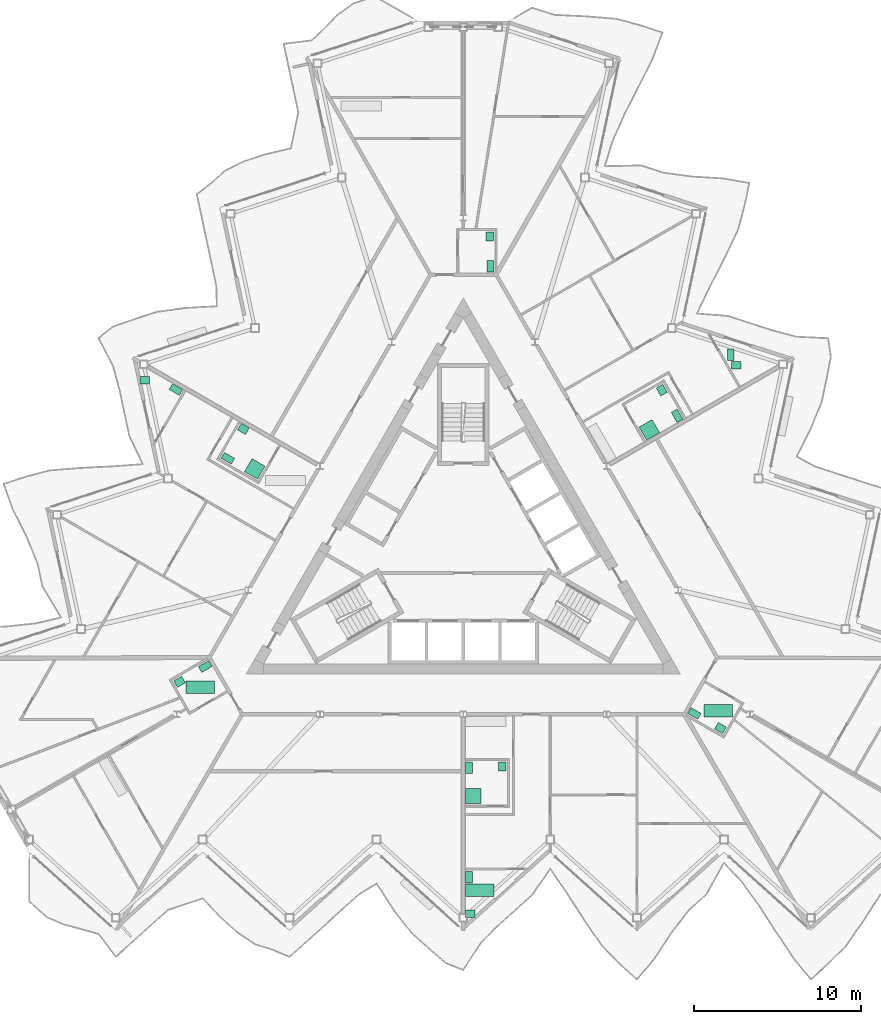
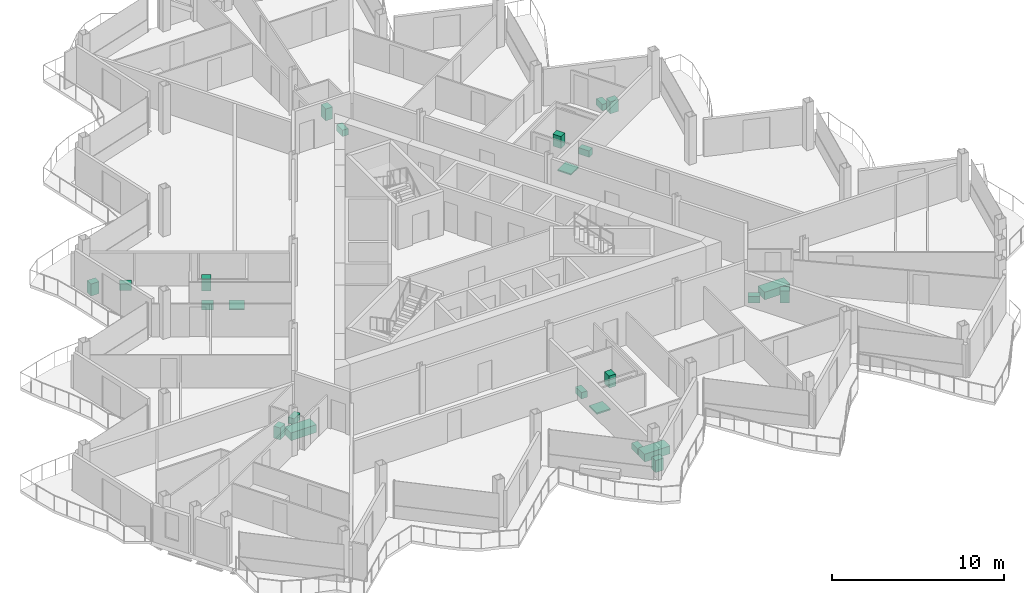
# One storey, part 25 of 26: 24 sanitary terminals.
"""IFC4 building model written with IfcOpenShell, lengths in metres."""

from ifc_helpers import new_model, si_unit, direction, frame, origin, origin_2d, place, context, subcontext, project, spatial, rectangle, extrude, material, type_object, element, save


model = new_model("IFC4")

# Units and contexts
model_context = context("Model", 3, precision=1e-05, world=origin(), true_north=direction((0.0, 1.0)))
body_context = subcontext(model_context, "Body", "Model", "MODEL_VIEW")
ifc_project = project(units=[si_unit("LENGTHUNIT", "METRE"), si_unit("AREAUNIT", "SQUARE_METRE"), si_unit("VOLUMEUNIT", "CUBIC_METRE"), si_unit("PLANEANGLEUNIT", "RADIAN"), si_unit("MASSUNIT", "GRAM", prefix="KILO")], contexts=[model_context])

# Site, building, storey
site_placement = place(None, origin())
site = spatial("IfcSite", under=ifc_project, at=site_placement, CompositionType="ELEMENT")
building_placement = place(site_placement, origin())
building = spatial("IfcBuilding", under=site, at=building_placement, Name="Cormorant Prow Tower", CompositionType="ELEMENT")
storey_placement = place(building_placement, frame((0.0, 0.0, 367.800048828125)))
storey = spatial("IfcBuildingStorey", under=building, at=storey_placement, Name="L82", CompositionType="ELEMENT", Elevation=367.800048828125)

# Sanitary terminals
ifc_material_1 = material(Name="Vitreous china")
sanitary_terminal_type_1 = type_object("IfcSanitaryTerminalType", Name="Bath 1700x750", PredefinedType="BATH", material=ifc_material_1)
for number, where, z_axis, x_axis, name in (
    (1, (0.9951171875, -20.451171875, 0.0), (0.0, 0.0, 1.0), (1.0, 0.0, 0.0), "Bath"),
    (2, (15.260498046875, -9.70068359375, 0.0), (0.0, 0.0, 1.0), (1.0, 0.0, 0.0), "Bath"),
    (3, (-15.75244140625, -8.29248046875, 0.0), (0.0, 0.0, 1.0), (1.0, 0.0, 0.0), "Bath"),
):
    element("IfcSanitaryTerminal", number, at=place(storey_placement, frame(where, z_axis=z_axis, x_axis=x_axis)), inside=storey, type_object=sanitary_terminal_type_1, Name=name, PredefinedType="BATH", context=body_context, shape_type="SweptSolid", body=[
        extrude(rectangle(XDim=1.699951171875, YDim=0.75, at=origin_2d()), origin(), (0.0, 0.0, 1.0), 0.550048828125),
    ])
ifc_material_2 = material(Name="Vitreous china")
sanitary_terminal_type_2 = type_object("IfcSanitaryTerminalType", Name="Shower tray 900x900", PredefinedType="SHOWER", material=ifc_material_2)
for number, where, z_axis, x_axis, name in (
    (4, (0.594970703125, -14.810546875, 0.0), (0.0, 0.0, 1.0), (0.0, 1.0, 0.0), "Shower tray"),
    (5, (11.134521484375, 7.115478515625, 0.0), (0.0, 0.0, 1.0), (-0.5, 0.866025403784, 0.0), "Shower tray"),
    (6, (-12.484619140625, 4.77734375, 0.0), (0.0, 0.0, 1.0), (-0.866025403784, 0.5, 0.0), "Shower tray"),
):
    element("IfcSanitaryTerminal", number, at=place(storey_placement, frame(where, z_axis=z_axis, x_axis=x_axis)), inside=storey, type_object=sanitary_terminal_type_2, Name=name, PredefinedType="SHOWER", context=body_context, shape_type="SweptSolid", body=[
        extrude(rectangle(XDim=0.89990234375, YDim=0.89990234375, at=origin_2d()), origin(), (0.0, 0.0, 1.0), 0.10009765625),
    ])
ifc_material_3 = material(Name="Vitreous china")
sanitary_terminal_type_3 = type_object("IfcSanitaryTerminalType", Name="Wash basin 550x450", PredefinedType="WASHHANDBASIN", material=ifc_material_3)
for number, where, z_axis, x_axis, name in (
    (7, (0.419921875, -21.85107421875, 0.0), (0.0, 0.0, 1.0), (1.0, 0.0, 0.0), "Wash basin"),
    (8, (2.330078125, -13.025634765625, 0.0), (0.0, 0.0, 1.0), (0.0, -1.0, 0.0), "Wash basin"),
    (9, (15.390380859375, -10.72509765625, 0.0), (0.0, 0.0, 1.0), (-0.866025403784, 0.5, 0.0), "Wash basin"),
    (10, (16.337158203125, 10.987060546875, 0.0), (0.0, 0.0, 1.0), (1.0, 0.0, 0.0), "Wash basin"),
    (11, (11.881103515625, 9.4921875, 0.0), (0.0, 0.0, 1.0), (0.5, -0.866025403784, 0.0), "Wash basin"),
    (12, (1.593017578125, 18.691162109375, 0.0), (0.0, 0.0, 1.0), (0.0, -1.0, 0.0), "Wash basin"),
    (13, (-19.0673828125, 10.084228515625, 0.0), (0.0, 0.0, 1.0), (1.0, 0.0, 0.0), "Wash basin"),
    (14, (-13.162841796875, 7.17236328125, 0.0), (0.0, 0.0, 1.0), (0.866025403784, -0.5, 0.0), "Wash basin"),
    (15, (-16.9833984375, -7.966064453125, 0.0), (0.0, 0.0, 1.0), (0.866025403784, 0.5, 0.0), "Wash basin"),
):
    element("IfcSanitaryTerminal", number, at=place(storey_placement, frame(where, z_axis=z_axis, x_axis=x_axis)), inside=storey, type_object=sanitary_terminal_type_3, Name=name, PredefinedType="WASHHANDBASIN", context=body_context, shape_type="SweptSolid", body=[
        extrude(rectangle(XDim=0.550048828125, YDim=0.449951171875, at=origin_2d()), origin(), (0.0, 0.0, 1.0), 0.85009765625),
    ])
ifc_material_4 = material(Name="Vitreous china")
sanitary_terminal_type_4 = type_object("IfcSanitaryTerminalType", Name="Water closet 400x700", PredefinedType="WCSEAT", material=ifc_material_4)
for number, where, z_axis, x_axis, name in (
    (16, (0.344970703125, -19.659423828125, 0.0), (0.0, 0.0, 1.0), (1.0, 0.0, 0.0), "Water closet"),
    (17, (0.344970703125, -13.1005859375, 0.0), (0.0, 0.0, 1.0), (1.0, 0.0, 0.0), "Water closet"),
    (18, (13.83203125, -9.854248046875, 0.0), (0.0, 0.0, 1.0), (0.5, 0.866025403784, 0.0), "Water closet"),
    (19, (16.01220703125, 11.612060546875, 0.0), (0.0, 0.0, 1.0), (1.0, 0.0, 0.0), "Water closet"),
    (20, (12.79541015625, 7.958984375, 0.0), (0.0, 0.0, 1.0), (-0.866025403784, -0.5, 0.0), "Water closet"),
    (21, (1.617919921875, 16.906005859375, 0.0), (0.0, 0.0, 1.0), (-1.0, 0.0, 0.0), "Water closet"),
    (22, (-17.197998046875, 9.531005859375, 0.0), (0.0, 0.0, 1.0), (-0.5, -0.866025403784, 0.0), "Water closet"),
    (23, (-14.09033203125, 5.415771484375, 0.0), (0.0, 0.0, 1.0), (0.5, 0.866025403784, 0.0), "Water closet"),
    (24, (-15.4501953125, -7.0517578125, 0.0), (0.0, 0.0, 1.0), (0.5, -0.866025403784, 0.0), "Water closet"),
):
    element("IfcSanitaryTerminal", number, at=place(storey_placement, frame(where, z_axis=z_axis, x_axis=x_axis)), inside=storey, type_object=sanitary_terminal_type_4, Name=name, PredefinedType="WCSEAT", context=body_context, shape_type="SweptSolid", body=[
        extrude(rectangle(XDim=0.39990234375, YDim=0.699951171875, at=origin_2d()), origin(), (0.0, 0.0, 1.0), 0.449951171875),
    ])

save(model, "model.ifc")
